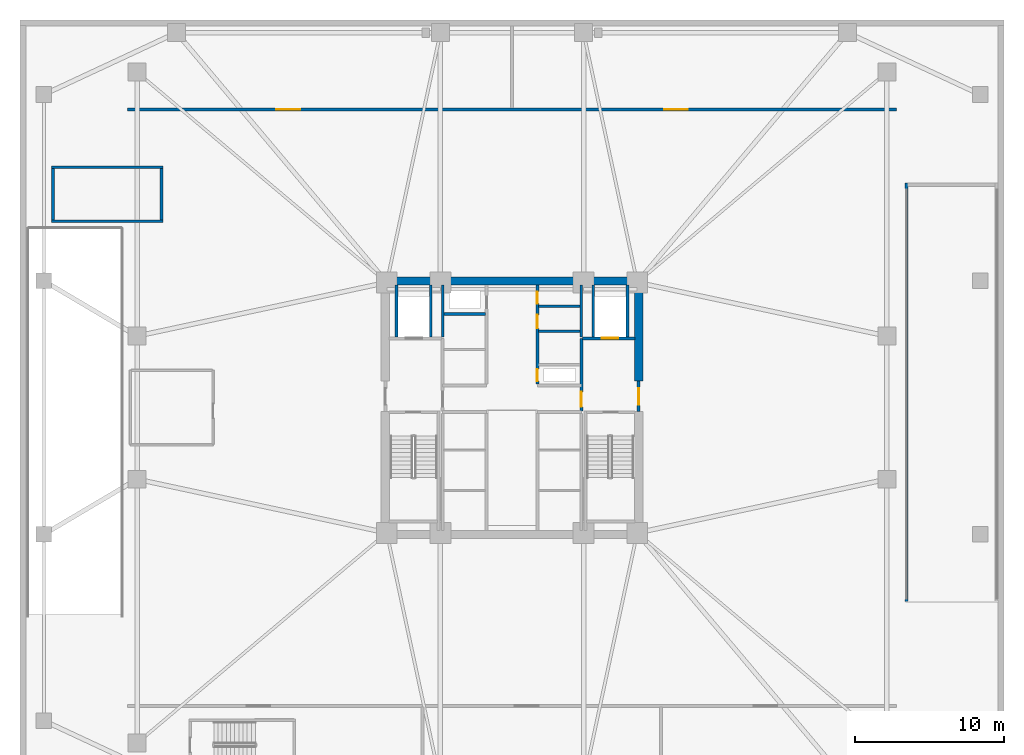
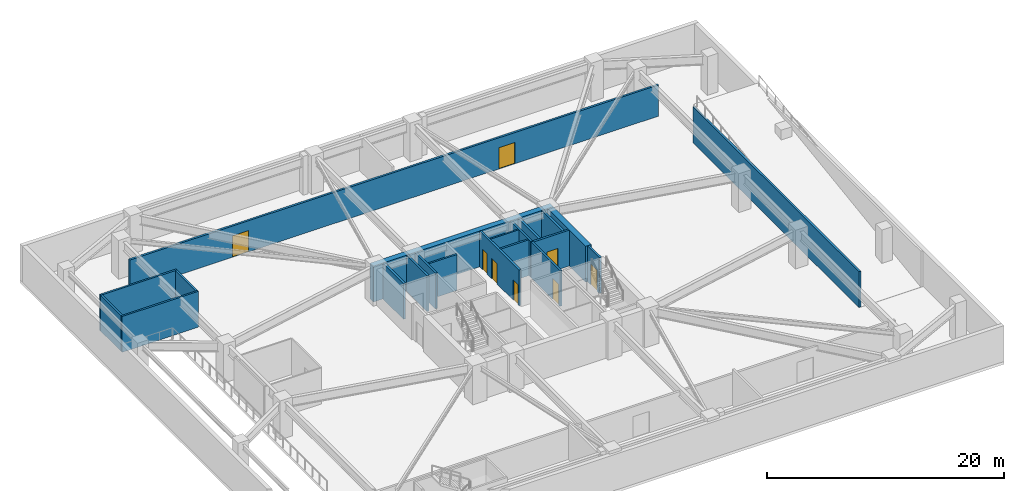
# One storey, part 4 of 9: 21 walls, 8 doors, 8 openings.
"""IFC4 building model written with IfcOpenShell, lengths in metres."""

from ifc_helpers import new_model, si_unit, direction, frame, frame_2d, origin, place, context, subcontext, project, spatial, rectangle, extrude, material, layer, layer_set, type_object, element, fill, save


model = new_model("IFC4")

# Units and contexts
model_context = context("Model", 3, precision=1e-05, world=origin(), true_north=direction((0.0, 1.0)))
body_context = subcontext(model_context, "Body", "Model", "MODEL_VIEW")
ifc_project = project(units=[si_unit("LENGTHUNIT", "METRE"), si_unit("AREAUNIT", "SQUARE_METRE"), si_unit("VOLUMEUNIT", "CUBIC_METRE"), si_unit("PLANEANGLEUNIT", "RADIAN"), si_unit("MASSUNIT", "GRAM", prefix="KILO")], contexts=[model_context])

# Site, building, storey
site_placement = place(None, origin())
site = spatial("IfcSite", under=ifc_project, at=site_placement, CompositionType="ELEMENT")
building_placement = place(site_placement, origin())
building = spatial("IfcBuilding", under=site, at=building_placement, Name="Cairnveth Concourse Tower", CompositionType="ELEMENT")
storey_placement = place(building_placement, frame((0.0, 0.0, -4.0)))
storey = spatial("IfcBuildingStorey", under=building, at=storey_placement, Name="B01", CompositionType="ELEMENT", Elevation=-4.0)

# Walls
ifc_material_1 = material(Name="Gypsum Plasterboard Partition", Category="gypsum")
ifc_layer_1 = layer(ifc_material_1, 0.159912109375)
ifc_layer_set_1 = layer_set([ifc_layer_1], Name="Gypsum Plasterboard Partition")
wall_type_1 = type_object("IfcWallType", Name="ACOUSTIC PARTY WALL 180", PredefinedType="PARTITIONING", material=ifc_layer_set_1)
wall_1_placement = place(storey_placement, frame((53.784912109375, 45.800048828125, 0.0), z_axis=(0.0, 0.0, 1.0), x_axis=(1.0, 0.0, 0.0)))
element("IfcWall", 1, at=wall_1_placement, inside=storey, type_object=wall_type_1, Name="Interior Wall IW-B01-037", PredefinedType="PARTITIONING", context=body_context, shape_type="SweptSolid", body=[
    extrude(rectangle(XDim=2.7900390625, YDim=0.159912109375, at=frame_2d((1.39501953125, 0.0))), origin(), (0.0, 0.0, 1.0), 3.699951171875),
])
ifc_material_2 = material(Name="Concrete N80 (80 MPa)", Category="concrete")
ifc_layer_2 = layer(ifc_material_2, 0.550048828125)
ifc_layer_set_2 = layer_set([ifc_layer_2], Name="Concrete N80 (80 MPa)")
wall_type_2 = type_object("IfcWallType", Name="CORE SHEAR WALL 550", PredefinedType="SHEAR", material=ifc_layer_set_2)
wall_2_placement = place(storey_placement, frame((43.22509765625, 47.5, 0.0), z_axis=(0.0, 0.0, 1.0), x_axis=(1.0, 0.0, 0.0)))
element("IfcWall", 2, at=wall_2_placement, inside=storey, type_object=wall_type_2, Name="Core North Shear Wall B01", PredefinedType="SHEAR", context=body_context, shape_type="SweptSolid", body=[
    extrude(rectangle(XDim=17.5498046875, YDim=0.550048828125, at=frame_2d((8.77490234375, 0.0))), origin(), (0.0, 0.0, 1.0), 3.699951171875),
])
wall_3_placement = place(storey_placement, frame((60.5, 40.800048828125, 0.0), z_axis=(0.0, 0.0, 1.0), x_axis=(0.0, 1.0, 0.0)))
element("IfcWall", 3, at=wall_3_placement, inside=storey, type_object=wall_type_2, Name="Core East Shear Wall N B01", PredefinedType="SHEAR", context=body_context, shape_type="SweptSolid", body=[
    extrude(rectangle(XDim=6.43505859375, YDim=0.550048828125, at=frame_2d((3.217529296875, 0.0))), origin(), (0.0, 0.0, 1.0), 3.699951171875),
])
ifc_material_3 = material(Name="Concrete N50 (50 MPa)", Category="concrete")
ifc_layer_3 = layer(ifc_material_3, 0.179931640625)
ifc_layer_set_3 = layer_set([ifc_layer_3], Name="Concrete N50 (50 MPa)")
wall_type_3 = type_object("IfcWallType", Name="FIRE SHAFT WALL 180", PredefinedType="SOLIDWALL", material=ifc_layer_set_3)
wall_4_placement = place(storey_placement, frame((47.35009765625, 43.735107421875, 0.0), z_axis=(0.0, 0.0, 1.0), x_axis=(0.0, 1.0, 0.0)))
element("IfcWall", 4, at=wall_4_placement, inside=storey, type_object=wall_type_3, Name="Interior Wall IW-B01-031", PredefinedType="SOLIDWALL", context=body_context, shape_type="SweptSolid", body=[
    extrude(rectangle(XDim=3.5048828125, YDim=0.179931640625, at=frame_2d((1.75244140625, 0.0))), origin(), (0.0, 0.0, 1.0), 3.699951171875),
])
wall_5_placement = place(storey_placement, frame((47.425048828125, 45.280029296875, 0.0), z_axis=(0.0, 0.0, 1.0), x_axis=(1.0, 0.0, 0.0)))
element("IfcWall", 5, at=wall_5_placement, inside=storey, type_object=wall_type_3, Name="Interior Wall IW-B01-033", PredefinedType="SOLIDWALL", context=body_context, shape_type="SweptSolid", body=[
    extrude(rectangle(XDim=2.7900390625, YDim=0.179931640625, at=frame_2d((1.39501953125, 0.0))), origin(), (0.0, 0.0, 1.0), 3.699951171875),
])
wall_6_placement = place(storey_placement, frame((56.64990234375, 43.735107421875, 0.0), z_axis=(0.0, 0.0, 1.0), x_axis=(0.0, 1.0, 0.0)))
element("IfcWall", 6, at=wall_6_placement, inside=storey, type_object=wall_type_3, Name="Interior Wall IW-B01-034", PredefinedType="SOLIDWALL", context=body_context, shape_type="SweptSolid", body=[
    extrude(rectangle(XDim=3.5048828125, YDim=0.179931640625, at=frame_2d((1.75244140625, 0.0))), origin(), (0.0, 0.0, 1.0), 3.699951171875),
])
wall_7_placement = place(storey_placement, frame((53.784912109375, 44.1201171875, 0.0), z_axis=(0.0, 0.0, 1.0), x_axis=(1.0, 0.0, 0.0)))
element("IfcWall", 7, at=wall_7_placement, inside=storey, type_object=wall_type_3, Name="Interior Wall IW-B01-036", PredefinedType="SOLIDWALL", context=body_context, shape_type="SweptSolid", body=[
    extrude(rectangle(XDim=2.7900390625, YDim=0.179931640625, at=frame_2d((1.39501953125, 0.0))), origin(), (0.0, 0.0, 1.0), 3.699951171875),
])
for number, where, z_axis, x_axis, name in (
    (8, (21.2099609375, 51.5849609375, 0.0), (0.0, 0.0, 1.0), (0.0, 1.0, 0.0), "Podium Stair ST-P1 Substructure Support Wall NEAR B01"),
    (9, (28.489990234375, 51.5849609375, 0.0), (0.0, 0.0, 1.0), (0.0, 1.0, 0.0), "Podium Stair ST-P1 Substructure Support Wall FAR B01"),
):
    element("IfcWall", number, at=place(storey_placement, frame(where, z_axis=z_axis, x_axis=x_axis)), inside=storey, type_object=wall_type_3, Name=name, PredefinedType="SOLIDWALL", context=body_context, shape_type="SweptSolid", body=[
        extrude(rectangle(XDim=3.469970703125, YDim=0.179931640625, at=frame_2d((1.73486328125, 0.0))), origin(), (0.0, 0.0, 1.0), 3.699951171875),
    ])
for number, where, z_axis, x_axis, name in (
    (10, (21.1201171875, 51.510009765625, 0.0), (0.0, 0.0, 1.0), (1.0, 0.0, 0.0), "Podium Stair ST-P1 Substructure Support Wall LEFT B01"),
    (11, (21.1201171875, 55.1298828125, 0.0), (0.0, 0.0, 1.0), (1.0, 0.0, 0.0), "Podium Stair ST-P1 Substructure Support Wall RGHT B01"),
):
    element("IfcWall", number, at=place(storey_placement, frame(where, z_axis=z_axis, x_axis=x_axis)), inside=storey, type_object=wall_type_3, Name=name, PredefinedType="SOLIDWALL", context=body_context, shape_type="SweptSolid", body=[
        extrude(rectangle(XDim=7.4599609375, YDim=0.179931640625, at=frame_2d((3.72998046875, 0.0))), origin(), (0.0, 0.0, 1.0), 3.699951171875),
    ])

# Wall, openings, doors
ifc_layer_4 = layer(ifc_material_3, 0.199951171875)
ifc_layer_set_4 = layer_set([ifc_layer_4], Name="Concrete N50 (50 MPa)")
wall_type_4 = type_object("IfcWallType", Name="FIRE SHAFT WALL 200", PredefinedType="SOLIDWALL", material=ifc_layer_set_4)
wall_8_placement = place(storey_placement, frame((53.699951171875, 40.5849609375, 0.0), z_axis=(0.0, 0.0, 1.0), x_axis=(0.0, 1.0, 0.0)))
wall_8 = element("IfcWall", 12, at=wall_8_placement, inside=storey, type_object=wall_type_4, Name="Interior Wall IW-B01-014", PredefinedType="SOLIDWALL", context=body_context, shape_type="SweptSolid", body=[
    extrude(rectangle(XDim=6.655029296875, YDim=0.199951171875, at=frame_2d((3.32763671875, 0.0))), origin(), (0.0, 0.0, 1.0), 3.699951171875),
])
opening_1_placement = place(wall_8_placement, frame((0.195068359375, 0.0, 0.0)))
opening_1 = element("IfcOpeningElement", 13, at=opening_1_placement, cuts=wall_8, Name="Opening ID24", PredefinedType="OPENING", context=body_context, shape_type="SweptSolid", body=[
    extrude(rectangle(XDim=0.800048828125, YDim=2.080078125, at=frame_2d((0.39990234375, 1.0400390625))), frame((0.0, 0.10986328125, 0.0), z_axis=(0.0, -1.0, 0.0), x_axis=(1.0, 0.0, 0.0)), (0.0, 0.0, 1.0), 0.219970703125),
])
opening_2_placement = place(wall_8_placement, frame((3.735107421875, 0.0, 0.0)))
opening_2 = element("IfcOpeningElement", 14, at=opening_2_placement, cuts=wall_8, Name="Opening ID26", PredefinedType="OPENING", context=body_context, shape_type="SweptSolid", body=[
    extrude(rectangle(XDim=0.89990234375, YDim=2.1201171875, at=frame_2d((0.449951171875, 1.06005859375))), frame((0.0, 0.10986328125, 0.0), z_axis=(0.0, -1.0, 0.0), x_axis=(1.0, 0.0, 0.0)), (0.0, 0.0, 1.0), 0.219970703125),
])
opening_3_placement = place(wall_8_placement, frame((5.39501953125, 0.0, 0.0)))
opening_3 = element("IfcOpeningElement", 15, at=opening_3_placement, cuts=wall_8, Name="Opening ID23", PredefinedType="OPENING", context=body_context, shape_type="SweptSolid", body=[
    extrude(rectangle(XDim=0.800048828125, YDim=2.10009765625, at=frame_2d((0.39990234375, 1.050048828125))), frame((0.0, 0.10986328125, 0.0), z_axis=(0.0, -1.0, 0.0), x_axis=(1.0, 0.0, 0.0)), (0.0, 0.0, 1.0), 0.219970703125),
])
ifc_material_4 = material(Name="Steel Grade 350", Category="steel")
door_type_1 = type_object("IfcDoorType", Name="CORE SERVICE DOOR 800X2100", OperationType="NOTDEFINED", PredefinedType="DOOR", material=ifc_material_4)
door_1_placement = place(opening_3_placement, origin())
door_1 = element("IfcDoor", 16, at=door_1_placement, inside=storey, type_object=door_type_1, Name="Core NE Cleaners Door B01", OperationType="SINGLE_SWING_RIGHT", OverallHeight=2.10009765625, OverallWidth=0.800048828125, PredefinedType="DOOR", context=body_context, shape_type="SweptSolid", body=[
    extrude(rectangle(XDim=0.800048828125, YDim=2.10009765625, at=frame_2d((0.39990234375, 1.050048828125))), frame((0.0, 0.02490234375, 0.0), z_axis=(0.0, -1.0, 0.0), x_axis=(1.0, 0.0, 0.0)), (0.0, 0.0, 1.0), 0.050048828125),
])
fill(opening_3, door_1)
door_type_2 = type_object("IfcDoorType", Name="CORE TOILET FIRE DOOR 900X2120", OperationType="NOTDEFINED", PredefinedType="DOOR", material=ifc_material_4)
door_2_placement = place(opening_2_placement, origin())
door_2 = element("IfcDoor", 17, at=door_2_placement, inside=storey, type_object=door_type_2, Name="Core NE Unisex WC Door B01", OperationType="SINGLE_SWING_LEFT", OverallHeight=2.1201171875, OverallWidth=0.89990234375, PredefinedType="DOOR", context=body_context, shape_type="SweptSolid", body=[
    extrude(rectangle(XDim=0.89990234375, YDim=2.1201171875, at=frame_2d((0.449951171875, 1.06005859375))), frame((0.0, 0.02490234375, 0.0), z_axis=(0.0, -1.0, 0.0), x_axis=(1.0, 0.0, 0.0)), (0.0, 0.0, 1.0), 0.050048828125),
])
fill(opening_2, door_2)
door_type_3 = type_object("IfcDoorType", Name="RISER ACCESS DOOR 800X2100", OperationType="NOTDEFINED", PredefinedType="DOOR", material=ifc_material_4)
door_3_placement = place(opening_1_placement, origin())
door_3 = element("IfcDoor", 18, at=door_3_placement, inside=storey, type_object=door_type_3, Name="Hydraulic Riser Door B01", OperationType="SINGLE_SWING_RIGHT", OverallHeight=2.080078125, OverallWidth=0.800048828125, PredefinedType="DOOR", context=body_context, shape_type="SweptSolid", body=[
    extrude(rectangle(XDim=0.800048828125, YDim=2.080078125, at=frame_2d((0.39990234375, 1.0400390625))), frame((0.0, 0.02490234375, 0.0), z_axis=(0.0, -1.0, 0.0), x_axis=(1.0, 0.0, 0.0)), (0.0, 0.0, 1.0), 0.050048828125),
])
fill(opening_1, door_3)

# Walls
for number, where, z_axis, x_axis, name in (
    (19, (46.550048828125, 43.735107421875, 0.0), (0.0, 0.0, 1.0), (0.0, 1.0, 0.0), "Interior Wall IW-B01-018"),
    (20, (44.25, 43.735107421875, 0.0), (0.0, 0.0, 1.0), (0.0, 1.0, 0.0), "Interior Wall IW-B01-019"),
):
    element("IfcWall", number, at=place(storey_placement, frame(where, z_axis=z_axis, x_axis=x_axis)), inside=storey, type_object=wall_type_4, Name=name, PredefinedType="SOLIDWALL", context=body_context, shape_type="SweptSolid", body=[
        extrude(rectangle(XDim=3.5048828125, YDim=0.199951171875, at=frame_2d((1.75244140625, 0.0))), origin(), (0.0, 0.0, 1.0), 3.699951171875),
    ])

# Wall, opening, door
wall_9_placement = place(storey_placement, frame((60.5, 38.75, 0.0), z_axis=(0.0, 0.0, 1.0), x_axis=(0.0, 1.0, 0.0)))
wall_9 = element("IfcWall", 21, at=wall_9_placement, inside=storey, type_object=wall_type_4, Name="Interior Wall IW-B01-020", PredefinedType="SOLIDWALL", context=body_context, shape_type="SweptSolid", body=[
    extrude(rectangle(XDim=2.050048828125, YDim=0.199951171875, at=frame_2d((1.02490234375, 0.0))), origin(), (0.0, 0.0, 1.0), 3.699951171875),
])
opening_4_placement = place(wall_9_placement, frame((0.449951171875, 0.0, 0.0)))
opening_4 = element("IfcOpeningElement", 22, at=opening_4_placement, cuts=wall_9, Name="Opening ID06", PredefinedType="OPENING", context=body_context, shape_type="SweptSolid", body=[
    extrude(rectangle(XDim=1.10009765625, YDim=2.14990234375, at=frame_2d((0.550048828125, 1.074951171875))), frame((0.0, 0.10986328125, 0.0), z_axis=(0.0, -1.0, 0.0), x_axis=(1.0, 0.0, 0.0)), (0.0, 0.0, 1.0), 0.219970703125),
])
door_type_4 = type_object("IfcDoorType", Name="FIRE CORRIDOR DOOR 1100X2150", OperationType="NOTDEFINED", PredefinedType="DOOR", material=ifc_material_4)
door_4_placement = place(opening_4_placement, origin())
door_4 = element("IfcDoor", 23, at=door_4_placement, inside=storey, type_object=door_type_4, Name="East Wing to FF Lobby Door B01", OperationType="SINGLE_SWING_RIGHT", OverallHeight=2.14990234375, OverallWidth=1.10009765625, PredefinedType="DOOR", context=body_context, shape_type="SweptSolid", body=[
    extrude(rectangle(XDim=1.10009765625, YDim=2.14990234375, at=frame_2d((0.550048828125, 1.074951171875))), frame((0.0, 0.02490234375, 0.0), z_axis=(0.0, -1.0, 0.0), x_axis=(1.0, 0.0, 0.0)), (0.0, 0.0, 1.0), 0.050048828125),
])
fill(opening_4, door_4)

wall_10_placement = place(storey_placement, frame((56.64990234375, 38.784912109375, 0.0), z_axis=(0.0, 0.0, 1.0), x_axis=(0.0, 1.0, 0.0)))
wall_10 = element("IfcWall", 24, at=wall_10_placement, inside=storey, type_object=wall_type_4, Name="Interior Wall IW-B01-021", PredefinedType="SOLIDWALL", context=body_context, shape_type="SweptSolid", body=[
    extrude(rectangle(XDim=4.864990234375, YDim=0.199951171875, at=frame_2d((2.4326171875, 0.0))), origin(), (0.0, 0.0, 1.0), 3.699951171875),
])
opening_5_placement = place(wall_10_placement, frame((0.264892578125, 0.0, 0.0)))
opening_5 = element("IfcOpeningElement", 25, at=opening_5_placement, cuts=wall_10, Name="Opening ID07", PredefinedType="OPENING", context=body_context, shape_type="SweptSolid", body=[
    extrude(rectangle(XDim=1.0, YDim=2.14990234375, at=frame_2d((0.5, 1.074951171875))), frame((0.0, 0.10986328125, 0.0), z_axis=(0.0, -1.0, 0.0), x_axis=(1.0, 0.0, 0.0)), (0.0, 0.0, 1.0), 0.219970703125),
])
door_type_5 = type_object("IfcDoorType", Name="FIRE CORRIDOR DOOR 1000X2150", OperationType="NOTDEFINED", PredefinedType="DOOR", material=ifc_material_4)
door_5_placement = place(opening_5_placement, origin())
door_5 = element("IfcDoor", 26, at=door_5_placement, inside=storey, type_object=door_type_5, Name="FF Lobby East to Lift Lobby Door B01", OperationType="SINGLE_SWING_LEFT", OverallHeight=2.14990234375, OverallWidth=1.0, PredefinedType="DOOR", context=body_context, shape_type="SweptSolid", body=[
    extrude(rectangle(XDim=1.0, YDim=2.14990234375, at=frame_2d((0.5, 1.074951171875))), frame((0.0, 0.02490234375, 0.0), z_axis=(0.0, -1.0, 0.0), x_axis=(1.0, 0.0, 0.0)), (0.0, 0.0, 1.0), 0.050048828125),
])
fill(opening_5, door_5)

wall_11_placement = place(storey_placement, frame((56.735107421875, 43.64990234375, 0.0), z_axis=(0.0, 0.0, 1.0), x_axis=(1.0, 0.0, 0.0)))
wall_11 = element("IfcWall", 27, at=wall_11_placement, inside=storey, type_object=wall_type_4, Name="Interior Wall IW-B01-022", PredefinedType="SOLIDWALL", context=body_context, shape_type="SweptSolid", body=[
    extrude(rectangle(XDim=3.5048828125, YDim=0.199951171875, at=frame_2d((1.75244140625, 0.0))), origin(), (0.0, 0.0, 1.0), 3.699951171875),
])
opening_6_placement = place(wall_11_placement, frame((1.294921875, 0.0, 0.0)))
opening_6 = element("IfcOpeningElement", 28, at=opening_6_placement, cuts=wall_11, Name="Opening LD-1", PredefinedType="OPENING", context=body_context, shape_type="SweptSolid", body=[
    extrude(rectangle(XDim=1.10009765625, YDim=2.199951171875, at=frame_2d((0.550048828125, 1.10009765625))), frame((0.0, 0.10986328125, 0.0), z_axis=(0.0, -1.0, 0.0), x_axis=(1.0, 0.0, 0.0)), (0.0, 0.0, 1.0), 0.219970703125),
])
ifc_material_5 = material(Name="Architectural Bronze Anodised Aluminium 6063-T6", Category="aluminium")
door_type_6 = type_object("IfcDoorType", Name="LIFT LANDING DOOR 1100X2200", OperationType="SLIDING_TO_LEFT", PredefinedType="DOOR", material=ifc_material_5)
door_6_placement = place(opening_6_placement, origin())
door_6 = element("IfcDoor", 29, at=door_6_placement, inside=storey, type_object=door_type_6, Name="Lift FFL2 Landing Door B01", OperationType="SLIDING_TO_LEFT", OverallHeight=2.199951171875, OverallWidth=1.10009765625, PredefinedType="DOOR", context=body_context, shape_type="SweptSolid", body=[
    extrude(rectangle(XDim=1.10009765625, YDim=2.199951171875, at=frame_2d((0.550048828125, 1.10009765625))), frame((0.0, 0.02490234375, 0.0), z_axis=(0.0, -1.0, 0.0), x_axis=(1.0, 0.0, 0.0)), (0.0, 0.0, 1.0), 0.050048828125),
])
fill(opening_6, door_6)

# Walls
for number, where, z_axis, x_axis, name in (
    (30, (57.449951171875, 43.735107421875, 0.0), (0.0, 0.0, 1.0), (0.0, 1.0, 0.0), "Interior Wall IW-B01-023"),
    (31, (59.75, 43.735107421875, 0.0), (0.0, 0.0, 1.0), (0.0, 1.0, 0.0), "Interior Wall IW-B01-024"),
):
    element("IfcWall", number, at=place(storey_placement, frame(where, z_axis=z_axis, x_axis=x_axis)), inside=storey, type_object=wall_type_4, Name=name, PredefinedType="SOLIDWALL", context=body_context, shape_type="SweptSolid", body=[
        extrude(rectangle(XDim=3.5048828125, YDim=0.199951171875, at=frame_2d((1.75244140625, 0.0))), origin(), (0.0, 0.0, 1.0), 3.699951171875),
    ])

# Wall, openings, doors
wall_12_placement = place(storey_placement, frame((26.199951171875, 59.0, 0.0), z_axis=(0.0, 0.0, 1.0), x_axis=(1.0, 0.0, 0.0)))
wall_12 = element("IfcWall", 32, at=wall_12_placement, inside=storey, type_object=wall_type_4, Name="Interior Wall IW-B01-039", PredefinedType="SOLIDWALL", context=body_context, shape_type="SweptSolid", body=[
    extrude(rectangle(XDim=51.60009765625, YDim=0.199951171875, at=frame_2d((25.800048828125, 0.0))), origin(), (0.0, 0.0, 1.0), 3.218017578125),
])
opening_7_placement = place(wall_12_placement, frame((10.0, 0.0, 0.0)))
opening_7 = element("IfcOpeningElement", 33, at=opening_7_placement, cuts=wall_12, Name="Opening ID02", PredefinedType="OPENING", context=body_context, shape_type="SweptSolid", body=[
    extrude(rectangle(XDim=1.60009765625, YDim=2.199951171875, at=frame_2d((0.800048828125, 1.10009765625))), frame((0.0, 0.10986328125, 0.0), z_axis=(0.0, -1.0, 0.0), x_axis=(1.0, 0.0, 0.0)), (0.0, 0.0, 1.0), 0.219970703125),
])
opening_8_placement = place(wall_12_placement, frame((36.0, 0.0, 0.0)))
opening_8 = element("IfcOpeningElement", 34, at=opening_8_placement, cuts=wall_12, Name="Opening ID02", PredefinedType="OPENING", context=body_context, shape_type="SweptSolid", body=[
    extrude(rectangle(XDim=1.60009765625, YDim=2.199951171875, at=frame_2d((0.800048828125, 1.10009765625))), frame((0.0, 0.10986328125, 0.0), z_axis=(0.0, -1.0, 0.0), x_axis=(1.0, 0.0, 0.0)), (0.0, 0.0, 1.0), 0.219970703125),
])
door_type_7 = type_object("IfcDoorType", Name="PLANT DOUBLE DOOR 1600X2200", OperationType="DOUBLE_DOOR_SINGLE_SWING", PredefinedType="DOOR", material=ifc_material_4)
door_7_placement = place(opening_7_placement, origin())
door_7 = element("IfcDoor", 35, at=door_7_placement, inside=storey, type_object=door_type_7, Name="Interior Door DR-B01-014", OperationType="DOUBLE_DOOR_SINGLE_SWING", OverallHeight=2.199951171875, OverallWidth=1.60009765625, PredefinedType="DOOR", context=body_context, shape_type="SweptSolid", body=[
    extrude(rectangle(XDim=1.60009765625, YDim=2.199951171875, at=frame_2d((0.800048828125, 1.10009765625))), frame((0.0, 0.02490234375, 0.0), z_axis=(0.0, -1.0, 0.0), x_axis=(1.0, 0.0, 0.0)), (0.0, 0.0, 1.0), 0.050048828125),
])
fill(opening_7, door_7)
door_8_placement = place(opening_8_placement, origin())
door_8 = element("IfcDoor", 36, at=door_8_placement, inside=storey, type_object=door_type_7, Name="Interior Door DR-B01-015", OperationType="DOUBLE_DOOR_SINGLE_SWING", OverallHeight=2.199951171875, OverallWidth=1.60009765625, PredefinedType="DOOR", context=body_context, shape_type="SweptSolid", body=[
    extrude(rectangle(XDim=1.60009765625, YDim=2.199951171875, at=frame_2d((0.800048828125, 1.10009765625))), frame((0.0, 0.02490234375, 0.0), z_axis=(0.0, -1.0, 0.0), x_axis=(1.0, 0.0, 0.0)), (0.0, 0.0, 1.0), 0.050048828125),
])
fill(opening_8, door_8)

# Wall
wall_13_placement = place(storey_placement, frame((78.449951171875, 26.0, 0.0), z_axis=(0.0, 0.0, 1.0), x_axis=(0.0, 1.0, 0.0)))
element("IfcWall", 37, at=wall_13_placement, inside=storey, type_object=wall_type_4, Name="Ramp B01-L00 West Support Wall", PredefinedType="SOLIDWALL", context=body_context, shape_type="SweptSolid", body=[
    extrude(rectangle(XDim=28.074951171875, YDim=0.199951171875, at=frame_2d((14.03759765625, 0.0))), origin(), (0.0, 0.0, 1.0), 3.699951171875),
])

save(model, "model.ifc")
